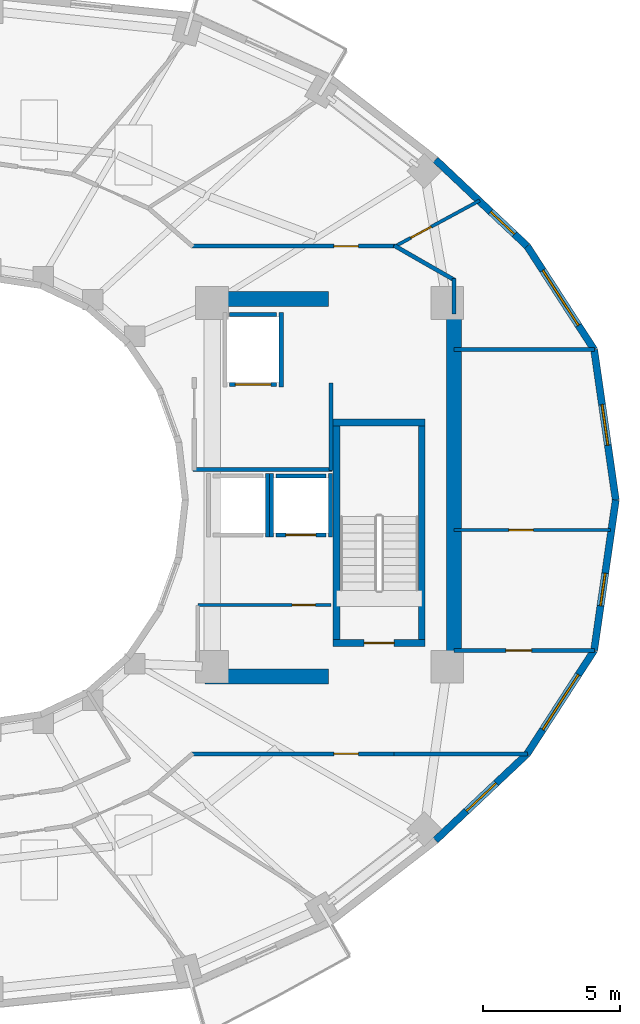
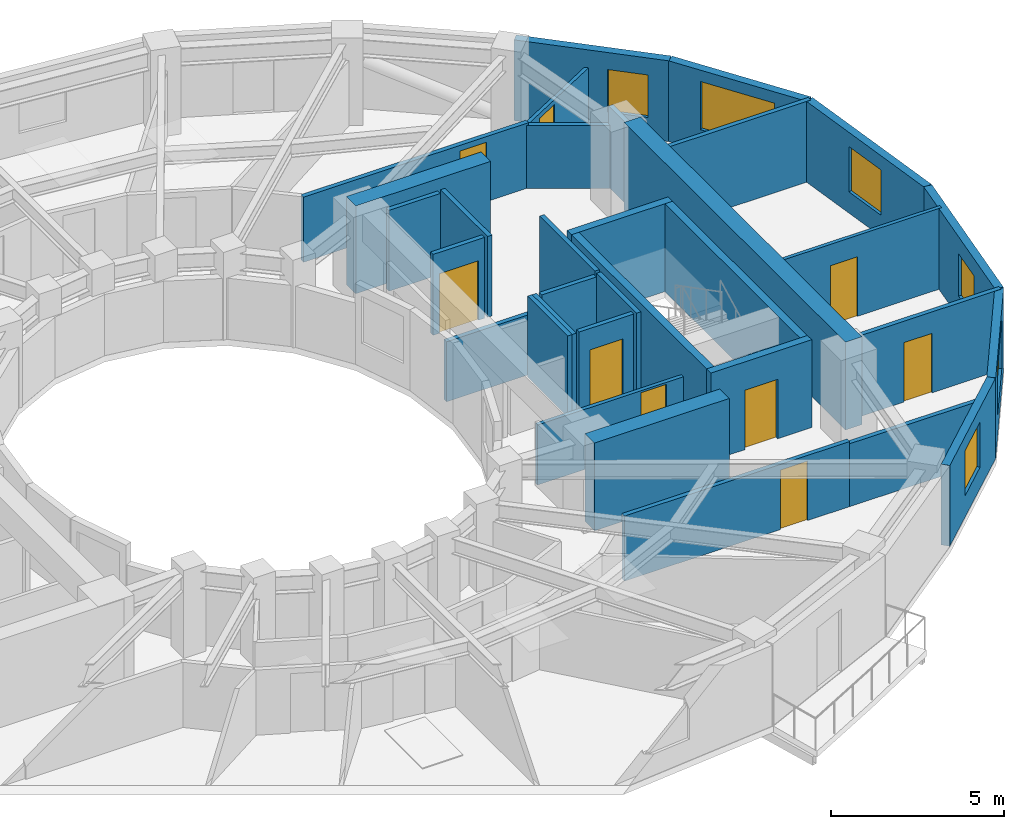
# One storey, part 6 of 10: 33 walls, 9 doors, 6 windows, 15 openings.
"""IFC4 building model written with IfcOpenShell, lengths in metres."""

from ifc_helpers import new_model, si_unit, direction, frame, frame_2d, origin, place, context, subcontext, project, spatial, rectangle, extrude, material, layer, layer_set, type_object, element, fill, save


model = new_model("IFC4")

# Units and contexts
model_context = context("Model", 3, precision=1e-05, world=origin(), true_north=direction((0.0, 1.0)))
body_context = subcontext(model_context, "Body", "Model", "MODEL_VIEW")
ifc_project = project(units=[si_unit("LENGTHUNIT", "METRE"), si_unit("AREAUNIT", "SQUARE_METRE"), si_unit("VOLUMEUNIT", "CUBIC_METRE"), si_unit("PLANEANGLEUNIT", "RADIAN"), si_unit("MASSUNIT", "GRAM", prefix="KILO")], contexts=[model_context])

# Site, building, storey
site_placement = place(None, origin())
site = spatial("IfcSite", under=ifc_project, at=site_placement, CompositionType="ELEMENT")
building_placement = place(site_placement, origin())
building = spatial("IfcBuilding", under=site, at=building_placement, Name="Solvane Sanctuary Tower", CompositionType="ELEMENT")
storey_placement = place(building_placement, frame((0.0, 0.0, 183.89990234375)))
storey = spatial("IfcBuildingStorey", under=building, at=storey_placement, Name="L56", CompositionType="ELEMENT", Elevation=183.89990234375)

# Walls
ifc_material_1 = material(Name="Concrete C50/60", Category="concrete")
ifc_layer_1 = layer(ifc_material_1, 0.550048828125, Name="Concrete C50/60")
ifc_layer_set_1 = layer_set([ifc_layer_1], Name="Concrete C50/60")
wall_type_1 = type_object("IfcWallType", Name="Wall W-CORE-550", PredefinedType="SHEAR", material=ifc_layer_set_1)
wall_1_placement = place(storey_placement, frame((48.949951171875, 17.050048828125, 0.0), z_axis=(0.0, 0.0, 1.0), x_axis=(0.0, 1.0, 0.0)))
element("IfcWall", 1, at=wall_1_placement, inside=storey, type_object=wall_type_1, Name="L56 Core Shear Wall EC-E", PredefinedType="SHEAR", context=body_context, shape_type="SweptSolid", body=[
    extrude(rectangle(XDim=12.800048828125, YDim=0.550048828125, at=frame_2d((6.39990234375, 0.0))), origin(), (0.0, 0.0, 1.0), 3.10009765625),
])
for number, where, z_axis, x_axis, name in (
    (2, (39.85009765625, 16.550048828125, 0.0), (0.0, 0.0, 1.0), (1.0, 0.0, 0.0), "L56 Core Shear Wall EC-S"),
    (3, (39.85009765625, 30.35009765625, 0.0), (0.0, 0.0, 1.0), (1.0, 0.0, 0.0), "L56 Core Shear Wall EC-N"),
):
    element("IfcWall", number, at=place(storey_placement, frame(where, z_axis=z_axis, x_axis=x_axis)), inside=storey, type_object=wall_type_1, Name=name, PredefinedType="SHEAR", context=body_context, shape_type="SweptSolid", body=[
        extrude(rectangle(XDim=4.5, YDim=0.550048828125, at=frame_2d((2.25, 0.0))), origin(), (0.0, 0.0, 1.0), 3.10009765625),
    ])
ifc_material_2 = material(Name="Acoustic Gypsum Partition Board")
ifc_layer_2 = layer(ifc_material_2, 0.14990234375, Name="Acoustic Gypsum Partition Board")
ifc_layer_set_2 = layer_set([ifc_layer_2], Name="Acoustic Gypsum Partition Board")
wall_type_2 = type_object("IfcWallType", Name="Wall W-CORR-150", PredefinedType="PARTITIONING", material=ifc_layer_set_2)
wall_2_placement = place(storey_placement, frame((39.39990234375, 24.1201171875, 0.0), z_axis=(0.0, 0.0, 1.0), x_axis=(1.0, 0.0, 0.0)))
element("IfcWall", 4, at=wall_2_placement, inside=storey, type_object=wall_type_2, Name="L56 East Firefighting Lobby South Wall", PredefinedType="PARTITIONING", context=body_context, shape_type="SweptSolid", body=[
    extrude(rectangle(XDim=5.080078125, YDim=0.14990234375, at=frame_2d((2.5400390625, 0.0))), origin(), (0.0, 0.0, 1.0), 2.1201171875),
])
wall_3_placement = place(storey_placement, frame((44.449951171875, 24.080078125, 0.0), z_axis=(0.0, 0.0, 1.0), x_axis=(0.0, 1.0, 0.0)))
element("IfcWall", 5, at=wall_3_placement, inside=storey, type_object=wall_type_2, Name="L56 East Firefighting Lobby East Wall", PredefinedType="PARTITIONING", context=body_context, shape_type="SweptSolid", body=[
    extrude(rectangle(XDim=3.199951171875, YDim=0.14990234375, at=frame_2d((1.60009765625, 0.0))), origin(), (0.0, 0.0, 1.0), 2.85498046875),
])

# Wall, opening, door
wall_4_placement = place(storey_placement, frame((48.949951171875, 17.4970703125, 0.0), z_axis=(0.0, 0.0, 1.0), x_axis=(1.0, 0.0, 0.0)))
wall_4 = element("IfcWall", 6, at=wall_4_placement, inside=storey, type_object=wall_type_2, Name="L56 East Shoulder South Wall", PredefinedType="PARTITIONING", context=body_context, shape_type="SweptSolid", body=[
    extrude(rectangle(XDim=5.14013671875, YDim=0.14990234375, at=frame_2d((2.570068359375, 0.0))), origin(), (0.0, 0.0, 1.0), 2.85498046875),
])
opening_1_placement = place(wall_4_placement, frame((1.888671875, 0.0, 0.0)))
opening_1 = element("IfcOpeningElement", 7, at=opening_1_placement, cuts=wall_4, Name="Opening D-L56-13", PredefinedType="OPENING", context=body_context, shape_type="SweptSolid", body=[
    extrude(rectangle(XDim=0.949951171875, YDim=2.10009765625, at=frame_2d((0.47509765625, 1.050048828125))), frame((0.0, 0.0849609375, 0.0), z_axis=(0.0, -1.0, 0.0), x_axis=(1.0, 0.0, 0.0)), (0.0, 0.0, 1.0), 0.169921875),
])
ifc_material_3 = material(Name="Engineered Tropical Hardwood", Category="wood")
door_type_1 = type_object("IfcDoorType", Name="Door D-ROOM-950", OperationType="NOTDEFINED", PredefinedType="DOOR", material=ifc_material_3)
door_1_placement = place(opening_1_placement, origin())
door_1 = element("IfcDoor", 8, at=door_1_placement, inside=storey, type_object=door_type_1, Name="L56 East Shoulder South Door", OperationType="SINGLE_SWING_LEFT", OverallHeight=2.10009765625, OverallWidth=0.949951171875, PredefinedType="DOOR", context=body_context, shape_type="SweptSolid", body=[
    extrude(rectangle(XDim=0.949951171875, YDim=2.10009765625, at=frame_2d((0.47509765625, 1.050048828125))), frame((0.0, 0.02490234375, 0.0), z_axis=(0.0, -1.0, 0.0), x_axis=(1.0, 0.0, 0.0)), (0.0, 0.0, 1.0), 0.050048828125),
])
fill(opening_1, door_1)

# Walls
wall_5_placement = place(storey_placement, frame((48.949951171875, 28.5029296875, 0.0), z_axis=(0.0, 0.0, 1.0), x_axis=(1.0, 0.0, 0.0)))
element("IfcWall", 9, at=wall_5_placement, inside=storey, type_object=wall_type_2, Name="L56 East Shoulder North Wall", PredefinedType="PARTITIONING", context=body_context, shape_type="SweptSolid", body=[
    extrude(rectangle(XDim=5.14013671875, YDim=0.14990234375, at=frame_2d((2.570068359375, 0.0))), origin(), (0.0, 0.0, 1.0), 2.85498046875),
])
wall_6_placement = place(storey_placement, frame((48.949951171875, 29.800048828125, 0.0), z_axis=(0.0, 0.0, 1.0), x_axis=(0.0, 1.0, 0.0)))
element("IfcWall", 10, at=wall_6_placement, inside=storey, type_object=wall_type_2, Name="L56 NE Corner Closer 1", PredefinedType="PARTITIONING", context=body_context, shape_type="SweptSolid", body=[
    extrude(rectangle(XDim=1.2900390625, YDim=0.14990234375, at=frame_2d((0.64501953125, 0.0))), origin(), (0.0, 0.0, 1.0), 2.85498046875),
])

# Wall, opening, door
wall_7_placement = place(storey_placement, frame((39.330078125, 32.280029296875, 0.0), z_axis=(0.0, 0.0, 1.0), x_axis=(1.0, 0.0, 0.0)))
wall_7 = element("IfcWall", 11, at=wall_7_placement, inside=storey, type_object=wall_type_2, Name="L56 NE Corner Corridor Wall", PredefinedType="PARTITIONING", context=body_context, shape_type="SweptSolid", body=[
    extrude(rectangle(XDim=7.52001953125, YDim=0.14990234375, at=frame_2d((3.760009765625, 0.0))), origin(), (0.0, 0.0, 1.0), 2.299072265625),
])
opening_2_placement = place(wall_7_placement, frame((5.219970703125, 0.0, 0.0)))
opening_2 = element("IfcOpeningElement", 12, at=opening_2_placement, cuts=wall_7, Name="Opening D-L56-16", PredefinedType="OPENING", context=body_context, shape_type="SweptSolid", body=[
    extrude(rectangle(XDim=0.89990234375, YDim=2.10009765625, at=frame_2d((0.449951171875, 1.050048828125))), frame((0.0, 0.0849609375, 0.0), z_axis=(0.0, -1.0, 0.0), x_axis=(1.0, 0.0, 0.0)), (0.0, 0.0, 1.0), 0.169921875),
])
door_type_2 = type_object("IfcDoorType", Name="Door D-WET-900", OperationType="NOTDEFINED", PredefinedType="DOOR", material=ifc_material_3)
door_2_placement = place(opening_2_placement, origin())
door_2 = element("IfcDoor", 13, at=door_2_placement, inside=storey, type_object=door_type_2, Name="L56 NE Corner Salon Door", OperationType="SINGLE_SWING_RIGHT", OverallHeight=2.10009765625, OverallWidth=0.89990234375, PredefinedType="DOOR", context=body_context, shape_type="SweptSolid", body=[
    extrude(rectangle(XDim=0.89990234375, YDim=2.10009765625, at=frame_2d((0.449951171875, 1.050048828125))), frame((0.0, 0.02490234375, 0.0), z_axis=(0.0, -1.0, 0.0), x_axis=(1.0, 0.0, 0.0)), (0.0, 0.0, 1.0), 0.050048828125),
])
fill(opening_2, door_2)

# Wall
wall_8_placement = place(storey_placement, frame((46.756591796875, 32.3046875, 0.0), z_axis=(0.0, 0.0, 1.0), x_axis=(0.867991349648, -0.496579315857, 0.0)))
element("IfcWall", 14, at=wall_8_placement, inside=storey, type_object=wall_type_2, Name="L56 NE Corner Wing Wall", PredefinedType="PARTITIONING", context=body_context, shape_type="SweptSolid", body=[
    extrude(rectangle(XDim=2.56689453125, YDim=0.14990234375, at=frame_2d((1.283447265625, 0.0))), origin(), (0.0, 0.0, 1.0), 2.22021484375),
])

# Wall, opening, door
wall_9_placement = place(storey_placement, frame((39.330078125, 13.719970703125, 0.0), z_axis=(0.0, 0.0, 1.0), x_axis=(1.0, 0.0, 0.0)))
wall_9 = element("IfcWall", 15, at=wall_9_placement, inside=storey, type_object=wall_type_2, Name="L56 SE Corner Corridor Wall", PredefinedType="PARTITIONING", context=body_context, shape_type="SweptSolid", body=[
    extrude(rectangle(XDim=7.52001953125, YDim=0.14990234375, at=frame_2d((3.760009765625, 0.0))), origin(), (0.0, 0.0, 1.0), 2.299072265625),
])
opening_3_placement = place(wall_9_placement, frame((5.219970703125, 0.0, 0.0)))
opening_3 = element("IfcOpeningElement", 16, at=opening_3_placement, cuts=wall_9, Name="Opening D-L56-22", PredefinedType="OPENING", context=body_context, shape_type="SweptSolid", body=[
    extrude(rectangle(XDim=0.89990234375, YDim=2.10009765625, at=frame_2d((0.449951171875, 1.050048828125))), frame((0.0, 0.0849609375, 0.0), z_axis=(0.0, -1.0, 0.0), x_axis=(1.0, 0.0, 0.0)), (0.0, 0.0, 1.0), 0.169921875),
])
door_3_placement = place(opening_3_placement, origin())
door_3 = element("IfcDoor", 17, at=door_3_placement, inside=storey, type_object=door_type_2, Name="L56 SE Corner Salon Door", OperationType="SINGLE_SWING_RIGHT", OverallHeight=2.10009765625, OverallWidth=0.89990234375, PredefinedType="DOOR", context=body_context, shape_type="SweptSolid", body=[
    extrude(rectangle(XDim=0.89990234375, YDim=2.10009765625, at=frame_2d((0.449951171875, 1.050048828125))), frame((0.0, 0.02490234375, 0.0), z_axis=(0.0, -1.0, 0.0), x_axis=(1.0, 0.0, 0.0)), (0.0, 0.0, 1.0), 0.050048828125),
])
fill(opening_3, door_3)

# Wall
wall_10_placement = place(storey_placement, frame((46.75, 13.72021484375, 0.0), z_axis=(0.0, 0.0, 1.0), x_axis=(0.999997122315, -0.00239903348, 0.0)))
element("IfcWall", 18, at=wall_10_placement, inside=storey, type_object=wall_type_2, Name="L56 SE Corner Wing Wall", PredefinedType="PARTITIONING", context=body_context, shape_type="SweptSolid", body=[
    extrude(rectangle(XDim=4.884765625, YDim=0.14990234375, at=frame_2d((2.4423828125, 0.0))), origin(), (0.0, 0.0, 1.0), 2.22021484375),
])

# Wall, opening, window
ifc_material_4 = material(Name="Precast concrete C40/50", Category="concrete")
ifc_layer_3 = layer(ifc_material_4, 0.260009765625, Name="Precast concrete C40/50")
ifc_layer_set_3 = layer_set([ifc_layer_3], Name="Precast concrete C40/50")
wall_type_3 = type_object("IfcWallType", Name="Wall W-EXT-250", PredefinedType="STANDARD", material=ifc_layer_set_3)
wall_11_placement = place(storey_placement, frame((54.860107421875, 23.0, 0.0), z_axis=(0.0, 0.0, 1.0), x_axis=(-0.142227632286, 0.989833976288, 0.0)))
wall_11 = element("IfcWall", 19, at=wall_11_placement, inside=storey, type_object=wall_type_3, Name="L56 Ceramic-Printed Facade Wall 00", PredefinedType="STANDARD", context=body_context, shape_type="SweptSolid", body=[
    extrude(rectangle(XDim=5.552978515625, YDim=0.260009765625, at=frame_2d((2.7763671875, 0.0))), origin(), (0.0, 0.0, 1.0), 2.85009765625),
])
opening_4_placement = place(wall_11_placement, frame((2.026611328125, 0.0, 0.75)))
opening_4 = element("IfcOpeningElement", 20, at=opening_4_placement, cuts=wall_11, Name="Opening WN-OPER-1500", PredefinedType="OPENING", context=body_context, shape_type="SweptSolid", body=[
    extrude(rectangle(XDim=1.5, YDim=1.60009765625, at=frame_2d((0.75, 0.800048828125))), frame((0.0, 0.139892578125, 0.0), z_axis=(0.0, -1.0, 0.0), x_axis=(1.0, 0.0, 0.0)), (0.0, 0.0, 1.0), 0.280029296875),
])
ifc_material_5 = material(Name="Dark Ceramic-Fritted Low-E Glass", Category="glass")
window_type_1 = type_object("IfcWindowType", Name="Window WN-OPER-1500", PartitioningType="SINGLE_PANEL", PredefinedType="WINDOW", material=ifc_material_5)
window_1_placement = place(opening_4_placement, origin())
window_1 = element("IfcWindow", 21, at=window_1_placement, inside=storey, type_object=window_type_1, Name="L56 Operable Facade Window 00", OverallHeight=1.60009765625, OverallWidth=1.5, PartitioningType="SINGLE_PANEL", PredefinedType="WINDOW", context=body_context, shape_type="SweptSolid", body=[
    extrude(rectangle(XDim=1.5, YDim=1.60009765625, at=frame_2d((0.75, 0.800048828125))), frame((0.0, 0.030029296875, 0.0), z_axis=(0.0, -1.0, 0.0), x_axis=(1.0, 0.0, 0.0)), (0.0, 0.0, 1.0), 0.06005859375),
])
fill(opening_4, window_1)

wall_12_placement = place(storey_placement, frame((54.0703125, 28.49658203125, 0.0), z_axis=(0.0, 0.0, 1.0), x_axis=(-0.543358984534, 0.839500454989, 0.0)))
wall_12 = element("IfcWall", 22, at=wall_12_placement, inside=storey, type_object=wall_type_3, Name="L56 Ceramic-Printed Facade Wall 01", PredefinedType="STANDARD", context=body_context, shape_type="SweptSolid", body=[
    extrude(rectangle(XDim=4.51123046875, YDim=0.260009765625, at=frame_2d((2.255615234375, 0.0))), origin(), (0.0, 0.0, 1.0), 2.85009765625),
])
opening_5_placement = place(wall_12_placement, frame((1.0556640625, 0.0, 0.75)))
opening_5 = element("IfcOpeningElement", 23, at=opening_5_placement, cuts=wall_12, Name="Opening WN-RIB-2400", PredefinedType="OPENING", context=body_context, shape_type="SweptSolid", body=[
    extrude(rectangle(XDim=2.39990234375, YDim=1.699951171875, at=frame_2d((1.199951171875, 0.85009765625))), frame((0.0, 0.139892578125, 0.0), z_axis=(0.0, -1.0, 0.0), x_axis=(1.0, 0.0, 0.0)), (0.0, 0.0, 1.0), 0.280029296875),
])
window_type_2 = type_object("IfcWindowType", Name="Window WN-RIB-2400", PartitioningType="SINGLE_PANEL", PredefinedType="WINDOW", material=ifc_material_5)
window_2_placement = place(opening_5_placement, origin())
window_2 = element("IfcWindow", 24, at=window_2_placement, inside=storey, type_object=window_type_2, Name="L56 Operable Facade Window 01", OverallHeight=1.699951171875, OverallWidth=2.39990234375, PartitioningType="SINGLE_PANEL", PredefinedType="WINDOW", context=body_context, shape_type="SweptSolid", body=[
    extrude(rectangle(XDim=2.39990234375, YDim=1.699951171875, at=frame_2d((1.199951171875, 0.85009765625))), frame((0.0, 0.030029296875, 0.0), z_axis=(0.0, -1.0, 0.0), x_axis=(1.0, 0.0, 0.0)), (0.0, 0.0, 1.0), 0.06005859375),
])
fill(opening_5, window_2)

wall_13_placement = place(storey_placement, frame((51.619140625, 32.28369140625, 0.0), z_axis=(0.0, 0.0, 1.0), x_axis=(-0.727667301037, 0.68593024354, 0.0)))
wall_13 = element("IfcWall", 25, at=wall_13_placement, inside=storey, type_object=wall_type_3, Name="L56 Ceramic-Printed Facade Wall 02", PredefinedType="STANDARD", context=body_context, shape_type="SweptSolid", body=[
    extrude(rectangle(XDim=4.603515625, YDim=0.260009765625, at=frame_2d((2.3017578125, 0.0))), origin(), (0.0, 0.0, 1.0), 2.85009765625),
])
opening_6_placement = place(wall_13_placement, frame((0.631103515625, 0.0, 0.75)))
opening_6 = element("IfcOpeningElement", 26, at=opening_6_placement, cuts=wall_13, Name="Opening WN-OPER-1200", PredefinedType="OPENING", context=body_context, shape_type="SweptSolid", body=[
    extrude(rectangle(XDim=1.199951171875, YDim=1.5, at=frame_2d((0.60009765625, 0.75))), frame((0.0, 0.139892578125, 0.0), z_axis=(0.0, -1.0, 0.0), x_axis=(1.0, 0.0, 0.0)), (0.0, 0.0, 1.0), 0.280029296875),
])
window_type_3 = type_object("IfcWindowType", Name="Window WN-OPER-1200", PartitioningType="SINGLE_PANEL", PredefinedType="WINDOW", material=ifc_material_5)
window_3_placement = place(opening_6_placement, origin())
window_3 = element("IfcWindow", 27, at=window_3_placement, inside=storey, type_object=window_type_3, Name="L56 Operable Facade Window 02", OverallHeight=1.5, OverallWidth=1.199951171875, PartitioningType="SINGLE_PANEL", PredefinedType="WINDOW", context=body_context, shape_type="SweptSolid", body=[
    extrude(rectangle(XDim=1.199951171875, YDim=1.5, at=frame_2d((0.60009765625, 0.75))), frame((0.0, 0.030029296875, 0.0), z_axis=(0.0, -1.0, 0.0), x_axis=(1.0, 0.0, 0.0)), (0.0, 0.0, 1.0), 0.06005859375),
])
fill(opening_6, window_3)

wall_14_placement = place(storey_placement, frame((48.269287109375, 10.55859375, 0.0), z_axis=(0.0, 0.0, 1.0), x_axis=(0.727667301037, 0.68593024354, 0.0)))
wall_14 = element("IfcWall", 28, at=wall_14_placement, inside=storey, type_object=wall_type_3, Name="L56 Ceramic-Printed Facade Wall 21", PredefinedType="STANDARD", context=body_context, shape_type="SweptSolid", body=[
    extrude(rectangle(XDim=4.603515625, YDim=0.260009765625, at=frame_2d((2.3017578125, 0.0))), origin(), (0.0, 0.0, 1.0), 2.85009765625),
])
opening_7_placement = place(wall_14_placement, frame((1.5517578125, 0.0, 0.75)))
opening_7 = element("IfcOpeningElement", 29, at=opening_7_placement, cuts=wall_14, Name="Opening WN-OPER-1500", PredefinedType="OPENING", context=body_context, shape_type="SweptSolid", body=[
    extrude(rectangle(XDim=1.5, YDim=1.60009765625, at=frame_2d((0.75, 0.800048828125))), frame((0.0, 0.139892578125, 0.0), z_axis=(0.0, -1.0, 0.0), x_axis=(1.0, 0.0, 0.0)), (0.0, 0.0, 1.0), 0.280029296875),
])
window_4_placement = place(opening_7_placement, origin())
window_4 = element("IfcWindow", 30, at=window_4_placement, inside=storey, type_object=window_type_1, Name="L56 Operable Facade Window 21", OverallHeight=1.60009765625, OverallWidth=1.5, PartitioningType="SINGLE_PANEL", PredefinedType="WINDOW", context=body_context, shape_type="SweptSolid", body=[
    extrude(rectangle(XDim=1.5, YDim=1.60009765625, at=frame_2d((0.75, 0.800048828125))), frame((0.0, 0.030029296875, 0.0), z_axis=(0.0, -1.0, 0.0), x_axis=(1.0, 0.0, 0.0)), (0.0, 0.0, 1.0), 0.06005859375),
])
fill(opening_7, window_4)

wall_15_placement = place(storey_placement, frame((51.619140625, 13.71630859375, 0.0), z_axis=(0.0, 0.0, 1.0), x_axis=(0.543358984534, 0.839500454989, 0.0)))
wall_15 = element("IfcWall", 31, at=wall_15_placement, inside=storey, type_object=wall_type_3, Name="L56 Ceramic-Printed Facade Wall 22", PredefinedType="STANDARD", context=body_context, shape_type="SweptSolid", body=[
    extrude(rectangle(XDim=4.51123046875, YDim=0.260009765625, at=frame_2d((2.255615234375, 0.0))), origin(), (0.0, 0.0, 1.0), 2.85009765625),
])
opening_8_placement = place(wall_15_placement, frame((1.0556640625, 0.0, 0.75)))
opening_8 = element("IfcOpeningElement", 32, at=opening_8_placement, cuts=wall_15, Name="Opening WN-RIB-2400", PredefinedType="OPENING", context=body_context, shape_type="SweptSolid", body=[
    extrude(rectangle(XDim=2.39990234375, YDim=1.699951171875, at=frame_2d((1.199951171875, 0.85009765625))), frame((0.0, 0.139892578125, 0.0), z_axis=(0.0, -1.0, 0.0), x_axis=(1.0, 0.0, 0.0)), (0.0, 0.0, 1.0), 0.280029296875),
])
window_5_placement = place(opening_8_placement, origin())
window_5 = element("IfcWindow", 33, at=window_5_placement, inside=storey, type_object=window_type_2, Name="L56 Operable Facade Window 22", OverallHeight=1.699951171875, OverallWidth=2.39990234375, PartitioningType="SINGLE_PANEL", PredefinedType="WINDOW", context=body_context, shape_type="SweptSolid", body=[
    extrude(rectangle(XDim=2.39990234375, YDim=1.699951171875, at=frame_2d((1.199951171875, 0.85009765625))), frame((0.0, 0.030029296875, 0.0), z_axis=(0.0, -1.0, 0.0), x_axis=(1.0, 0.0, 0.0)), (0.0, 0.0, 1.0), 0.06005859375),
])
fill(opening_8, window_5)

wall_16_placement = place(storey_placement, frame((54.0703125, 17.50341796875, 0.0), z_axis=(0.0, 0.0, 1.0), x_axis=(0.142227632286, 0.989833976288, 0.0)))
wall_16 = element("IfcWall", 34, at=wall_16_placement, inside=storey, type_object=wall_type_3, Name="L56 Ceramic-Printed Facade Wall 23", PredefinedType="STANDARD", context=body_context, shape_type="SweptSolid", body=[
    extrude(rectangle(XDim=5.552978515625, YDim=0.260009765625, at=frame_2d((2.7763671875, 0.0))), origin(), (0.0, 0.0, 1.0), 2.85009765625),
])
opening_9_placement = place(wall_16_placement, frame((1.645751953125, 0.0, 0.75)))
opening_9 = element("IfcOpeningElement", 35, at=opening_9_placement, cuts=wall_16, Name="Opening WN-OPER-1200", PredefinedType="OPENING", context=body_context, shape_type="SweptSolid", body=[
    extrude(rectangle(XDim=1.199951171875, YDim=1.5, at=frame_2d((0.60009765625, 0.75))), frame((0.0, 0.139892578125, 0.0), z_axis=(0.0, -1.0, 0.0), x_axis=(1.0, 0.0, 0.0)), (0.0, 0.0, 1.0), 0.280029296875),
])
window_6_placement = place(opening_9_placement, origin())
window_6 = element("IfcWindow", 36, at=window_6_placement, inside=storey, type_object=window_type_3, Name="L56 Operable Facade Window 23", OverallHeight=1.5, OverallWidth=1.199951171875, PartitioningType="SINGLE_PANEL", PredefinedType="WINDOW", context=body_context, shape_type="SweptSolid", body=[
    extrude(rectangle(XDim=1.199951171875, YDim=1.5, at=frame_2d((0.60009765625, 0.75))), frame((0.0, 0.030029296875, 0.0), z_axis=(0.0, -1.0, 0.0), x_axis=(1.0, 0.0, 0.0)), (0.0, 0.0, 1.0), 0.06005859375),
])
fill(opening_9, window_6)

# Wall, opening, door
ifc_layer_4 = layer(ifc_material_2, 0.1201171875, Name="Acoustic Gypsum Partition Board")
ifc_layer_set_4 = layer_set([ifc_layer_4], Name="Acoustic Gypsum Partition Board")
wall_type_4 = type_object("IfcWallType", Name="Wall W-MOV-100", PredefinedType="MOVABLE", material=ifc_layer_set_4)
wall_17_placement = place(storey_placement, frame((48.949951171875, 21.89990234375, 0.0), z_axis=(0.0, 0.0, 1.0), x_axis=(1.0, 0.0, 0.0)))
wall_17 = element("IfcWall", 37, at=wall_17_placement, inside=storey, type_object=wall_type_4, Name="L56 East Suite Partition", PredefinedType="MOVABLE", context=body_context, shape_type="SweptSolid", body=[
    extrude(rectangle(XDim=5.712158203125, YDim=0.1201171875, at=frame_2d((2.85595703125, 0.0))), origin(), (0.0, 0.0, 1.0), 2.85498046875),
])
opening_10_placement = place(wall_17_placement, frame((2.0, 0.0, 0.0)))
opening_10 = element("IfcOpeningElement", 38, at=opening_10_placement, cuts=wall_17, Name="Opening D-L56-14", PredefinedType="OPENING", context=body_context, shape_type="SweptSolid", body=[
    extrude(rectangle(XDim=0.89990234375, YDim=2.10009765625, at=frame_2d((0.449951171875, 1.050048828125))), frame((0.0, 0.070068359375, 0.0), z_axis=(0.0, -1.0, 0.0), x_axis=(1.0, 0.0, 0.0)), (0.0, 0.0, 1.0), 0.14013671875),
])
door_4_placement = place(opening_10_placement, origin())
door_4 = element("IfcDoor", 39, at=door_4_placement, inside=storey, type_object=door_type_2, Name="L56 East Suite Internal Door", OperationType="SINGLE_SWING_RIGHT", OverallHeight=2.10009765625, OverallWidth=0.89990234375, PredefinedType="DOOR", context=body_context, shape_type="SweptSolid", body=[
    extrude(rectangle(XDim=0.89990234375, YDim=2.10009765625, at=frame_2d((0.449951171875, 1.050048828125))), frame((0.0, 0.02490234375, 0.0), z_axis=(0.0, -1.0, 0.0), x_axis=(1.0, 0.0, 0.0)), (0.0, 0.0, 1.0), 0.050048828125),
])
fill(opening_10, door_4)

wall_18_placement = place(storey_placement, frame((46.756103515625, 32.256103515625, 0.0), z_axis=(0.0, 0.0, 1.0), x_axis=(0.879385297668, 0.476110804587, 0.0)))
wall_18 = element("IfcWall", 40, at=wall_18_placement, inside=storey, type_object=wall_type_4, Name="L56 NE Corner Suite Partition", PredefinedType="MOVABLE", context=body_context, shape_type="SweptSolid", body=[
    extrude(rectangle(XDim=3.559814453125, YDim=0.1201171875, at=frame_2d((1.77978515625, 0.0))), origin(), (0.0, 0.0, 1.0), 2.22021484375),
])
opening_11_placement = place(wall_18_placement, frame((0.6943359375, 0.0, 0.0)))
opening_11 = element("IfcOpeningElement", 41, at=opening_11_placement, cuts=wall_18, Name="Opening D-L56-15", PredefinedType="OPENING", context=body_context, shape_type="SweptSolid", body=[
    extrude(rectangle(XDim=0.85009765625, YDim=2.050048828125, at=frame_2d((0.425048828125, 1.02490234375))), frame((0.0, 0.070068359375, 0.0), z_axis=(0.0, -1.0, 0.0), x_axis=(1.0, 0.0, 0.0)), (0.0, 0.0, 1.0), 0.14013671875),
])
ifc_material_6 = material(Name="Architectural Stainless Steel 316", Category="steel")
door_type_3 = type_object("IfcDoorType", Name="Door D-RISER", OperationType="NOTDEFINED", PredefinedType="DOOR", material=ifc_material_6)
door_5_placement = place(opening_11_placement, origin())
door_5 = element("IfcDoor", 42, at=door_5_placement, inside=storey, type_object=door_type_3, Name="L56 NE Corner Suite Door", OperationType="SINGLE_SWING_LEFT", OverallHeight=2.050048828125, OverallWidth=0.85009765625, PredefinedType="DOOR", context=body_context, shape_type="SweptSolid", body=[
    extrude(rectangle(XDim=0.85009765625, YDim=2.050048828125, at=frame_2d((0.425048828125, 1.02490234375))), frame((0.0, 0.02490234375, 0.0), z_axis=(0.0, -1.0, 0.0), x_axis=(1.0, 0.0, 0.0)), (0.0, 0.0, 1.0), 0.050048828125),
])
fill(opening_11, door_5)

ifc_layer_5 = layer(ifc_material_2, 0.125, Name="Acoustic Gypsum Partition Board")
ifc_layer_set_5 = layer_set([ifc_layer_5], Name="Acoustic Gypsum Partition Board")
wall_type_5 = type_object("IfcWallType", Name="Wall W-PART-125", PredefinedType="PARTITIONING", material=ifc_layer_set_5)
wall_19_placement = place(storey_placement, frame((39.580078125, 19.159912109375, 0.0), z_axis=(0.0, 0.0, 1.0), x_axis=(1.0, 0.0, 0.0)))
wall_19 = element("IfcWall", 43, at=wall_19_placement, inside=storey, type_object=wall_type_5, Name="L56 Reclaimed Room Partition PLE", PredefinedType="PARTITIONING", context=body_context, shape_type="SweptSolid", body=[
    extrude(rectangle(XDim=4.869873046875, YDim=0.125, at=frame_2d((2.43505859375, 0.0))), origin(), (0.0, 0.0, 1.0), 2.1201171875),
])
opening_12_placement = place(wall_19_placement, frame((3.449951171875, 0.0, 0.0)))
opening_12 = element("IfcOpeningElement", 44, at=opening_12_placement, cuts=wall_19, Name="Opening D-L56-11", PredefinedType="OPENING", context=body_context, shape_type="SweptSolid", body=[
    extrude(rectangle(XDim=0.85009765625, YDim=2.050048828125, at=frame_2d((0.425048828125, 1.02490234375))), frame((0.0, 0.072509765625, 0.0), z_axis=(0.0, -1.0, 0.0), x_axis=(1.0, 0.0, 0.0)), (0.0, 0.0, 1.0), 0.14501953125),
])
door_6_placement = place(opening_12_placement, origin())
door_6 = element("IfcDoor", 45, at=door_6_placement, inside=storey, type_object=door_type_3, Name="L56 Reclaimed Room Door PLE-1", OperationType="SINGLE_SWING_LEFT", OverallHeight=2.050048828125, OverallWidth=0.85009765625, PredefinedType="DOOR", context=body_context, shape_type="SweptSolid", body=[
    extrude(rectangle(XDim=0.85009765625, YDim=2.050048828125, at=frame_2d((0.425048828125, 1.02490234375))), frame((0.0, 0.02490234375, 0.0), z_axis=(0.0, -1.0, 0.0), x_axis=(1.0, 0.0, 0.0)), (0.0, 0.0, 1.0), 0.050048828125),
])
fill(opening_12, door_6)

ifc_layer_6 = layer(ifc_material_1, 0.14990234375, Name="Concrete C50/60")
ifc_layer_set_6 = layer_set([ifc_layer_6], Name="Concrete C50/60")
wall_type_6 = type_object("IfcWallType", Name="Wall W-SHAFT-150", PredefinedType="SOLIDWALL", material=ifc_layer_set_6)
wall_20_placement = place(storey_placement, frame((42.43994140625, 21.719970703125, 0.0), z_axis=(0.0, 0.0, 1.0), x_axis=(1.0, 0.0, 0.0)))
wall_20 = element("IfcWall", 46, at=wall_20_placement, inside=storey, type_object=wall_type_6, Name="L56 PM-2 Lift Shaft Wall F", PredefinedType="SOLIDWALL", context=body_context, shape_type="SweptSolid", body=[
    extrude(rectangle(XDim=1.820068359375, YDim=0.14990234375, at=frame_2d((0.91015625, 0.0))), origin(), (0.0, 0.0, 1.0), 2.85498046875),
])
opening_13_placement = place(wall_20_placement, frame((0.360107421875, 0.0, 0.0)))
opening_13 = element("IfcOpeningElement", 47, at=opening_13_placement, cuts=wall_20, Name="Opening LD-L56-02", PredefinedType="OPENING", context=body_context, shape_type="SweptSolid", body=[
    extrude(rectangle(XDim=1.10009765625, YDim=2.10009765625, at=frame_2d((0.550048828125, 1.050048828125))), frame((0.0, 0.0849609375, 0.0), z_axis=(0.0, -1.0, 0.0), x_axis=(1.0, 0.0, 0.0)), (0.0, 0.0, 1.0), 0.169921875),
])
door_type_4 = type_object("IfcDoorType", Name="Door LD-PASS-1100", OperationType="NOTDEFINED", PredefinedType="DOOR", material=ifc_material_6)
door_7_placement = place(opening_13_placement, origin())
door_7 = element("IfcDoor", 48, at=door_7_placement, inside=storey, type_object=door_type_4, Name="L56 PM-2 Lift Landing Door", OperationType="DOUBLE_DOOR_SLIDING", OverallHeight=2.10009765625, OverallWidth=1.10009765625, PredefinedType="DOOR", context=body_context, shape_type="SweptSolid", body=[
    extrude(rectangle(XDim=1.10009765625, YDim=2.10009765625, at=frame_2d((0.550048828125, 1.050048828125))), frame((0.0, 0.02490234375, 0.0), z_axis=(0.0, -1.0, 0.0), x_axis=(1.0, 0.0, 0.0)), (0.0, 0.0, 1.0), 0.050048828125),
])
fill(opening_13, door_7)

# Walls
wall_21_placement = place(storey_placement, frame((42.43994140625, 23.8798828125, 0.0), z_axis=(0.0, 0.0, 1.0), x_axis=(1.0, 0.0, 0.0)))
element("IfcWall", 49, at=wall_21_placement, inside=storey, type_object=wall_type_6, Name="L56 PM-2 Lift Shaft Wall B", PredefinedType="SOLIDWALL", context=body_context, shape_type="SweptSolid", body=[
    extrude(rectangle(XDim=1.820068359375, YDim=0.14990234375, at=frame_2d((0.91015625, 0.0))), origin(), (0.0, 0.0, 1.0), 2.85498046875),
])
for number, where, z_axis, x_axis, name in (
    (50, (42.27001953125, 21.639892578125, 0.0), (0.0, 0.0, 1.0), (0.0, 1.0, 0.0), "L56 PM-2 Lift Shaft Wall S1"),
    (51, (44.429931640625, 21.639892578125, 0.0), (0.0, 0.0, 1.0), (0.0, 1.0, 0.0), "L56 PM-2 Lift Shaft Wall S2"),
    (52, (42.1298828125, 21.639892578125, 0.0), (0.0, 0.0, 1.0), (0.0, 1.0, 0.0), "L56 PH-2 Lift Shaft Wall S2"),
):
    element("IfcWall", number, at=place(storey_placement, frame(where, z_axis=z_axis, x_axis=x_axis)), inside=storey, type_object=wall_type_6, Name=name, PredefinedType="SOLIDWALL", context=body_context, shape_type="SweptSolid", body=[
        extrude(rectangle(XDim=2.320068359375, YDim=0.14990234375, at=frame_2d((1.16015625, 0.0))), origin(), (0.0, 0.0, 1.0), 2.85498046875),
    ])

# Wall, opening, door
wall_22_placement = place(storey_placement, frame((40.739990234375, 27.219970703125, 0.0), z_axis=(0.0, 0.0, 1.0), x_axis=(1.0, 0.0, 0.0)))
wall_22 = element("IfcWall", 53, at=wall_22_placement, inside=storey, type_object=wall_type_6, Name="L56 FFL-2 Lift Shaft Wall F", PredefinedType="SOLIDWALL", context=body_context, shape_type="SweptSolid", body=[
    extrude(rectangle(XDim=1.719970703125, YDim=0.14990234375, at=frame_2d((0.85986328125, 0.0))), origin(), (0.0, 0.0, 1.0), 2.85498046875),
])
opening_14_placement = place(wall_22_placement, frame((0.2099609375, 0.0, 0.0)))
opening_14 = element("IfcOpeningElement", 54, at=opening_14_placement, cuts=wall_22, Name="Opening LD-L56-05", PredefinedType="OPENING", context=body_context, shape_type="SweptSolid", body=[
    extrude(rectangle(XDim=1.300048828125, YDim=2.10009765625, at=frame_2d((0.64990234375, 1.050048828125))), frame((0.0, 0.0849609375, 0.0), z_axis=(0.0, -1.0, 0.0), x_axis=(1.0, 0.0, 0.0)), (0.0, 0.0, 1.0), 0.169921875),
])
door_type_5 = type_object("IfcDoorType", Name="Door LD-FFL-1300", OperationType="NOTDEFINED", PredefinedType="DOOR", material=ifc_material_6)
door_8_placement = place(opening_14_placement, origin())
door_8 = element("IfcDoor", 55, at=door_8_placement, inside=storey, type_object=door_type_5, Name="L56 FFL-2 Lift Landing Door", OperationType="DOUBLE_DOOR_SLIDING", OverallHeight=2.10009765625, OverallWidth=1.300048828125, PredefinedType="DOOR", context=body_context, shape_type="SweptSolid", body=[
    extrude(rectangle(XDim=1.300048828125, YDim=2.10009765625, at=frame_2d((0.64990234375, 1.050048828125))), frame((0.0, 0.02490234375, 0.0), z_axis=(0.0, -1.0, 0.0), x_axis=(1.0, 0.0, 0.0)), (0.0, 0.0, 1.0), 0.050048828125),
])
fill(opening_14, door_8)

# Walls
wall_23_placement = place(storey_placement, frame((40.739990234375, 29.780029296875, 0.0), z_axis=(0.0, 0.0, 1.0), x_axis=(1.0, 0.0, 0.0)))
element("IfcWall", 56, at=wall_23_placement, inside=storey, type_object=wall_type_6, Name="L56 FFL-2 Lift Shaft Wall B", PredefinedType="SOLIDWALL", context=body_context, shape_type="SweptSolid", body=[
    extrude(rectangle(XDim=1.719970703125, YDim=0.14990234375, at=frame_2d((0.85986328125, 0.0))), origin(), (0.0, 0.0, 1.0), 2.85498046875),
])
wall_24_placement = place(storey_placement, frame((42.6298828125, 27.139892578125, 0.0), z_axis=(0.0, 0.0, 1.0), x_axis=(0.0, 1.0, 0.0)))
element("IfcWall", 57, at=wall_24_placement, inside=storey, type_object=wall_type_6, Name="L56 FFL-2 Lift Shaft Wall S2", PredefinedType="SOLIDWALL", context=body_context, shape_type="SweptSolid", body=[
    extrude(rectangle(XDim=2.72021484375, YDim=0.14990234375, at=frame_2d((1.360107421875, 0.0))), origin(), (0.0, 0.0, 1.0), 2.85498046875),
])

# Wall, opening, door
ifc_layer_7 = layer(ifc_material_1, 0.25, Name="Concrete C50/60")
ifc_layer_set_7 = layer_set([ifc_layer_7], Name="Concrete C50/60")
wall_type_7 = type_object("IfcWallType", Name="Wall W-SHAFT-250", PredefinedType="SOLIDWALL", material=ifc_layer_set_7)
wall_25_placement = place(storey_placement, frame((44.52490234375, 17.77001953125, 0.0), z_axis=(0.0, 0.0, 1.0), x_axis=(1.0, 0.0, 0.0)))
wall_25 = element("IfcWall", 58, at=wall_25_placement, inside=storey, type_object=wall_type_7, Name="L56 ST-2 Load-Bearing Shaft Wall S", PredefinedType="SOLIDWALL", context=body_context, shape_type="SweptSolid", body=[
    extrude(rectangle(XDim=3.3701171875, YDim=0.25, at=frame_2d((1.68505859375, 0.0))), origin(), (0.0, 0.0, 1.0), 3.10009765625),
])
opening_15_placement = place(wall_25_placement, frame((1.135009765625, 0.0, 0.0)))
opening_15 = element("IfcOpeningElement", 59, at=opening_15_placement, cuts=wall_25, Name="Opening D-L56-06", PredefinedType="OPENING", context=body_context, shape_type="SweptSolid", body=[
    extrude(rectangle(XDim=1.10009765625, YDim=2.10009765625, at=frame_2d((0.550048828125, 1.050048828125))), frame((0.0, 0.135009765625, 0.0), z_axis=(0.0, -1.0, 0.0), x_axis=(1.0, 0.0, 0.0)), (0.0, 0.0, 1.0), 0.27001953125),
])
door_type_6 = type_object("IfcDoorType", Name="Door D-STAIR", OperationType="NOTDEFINED", PredefinedType="DOOR", material=ifc_material_6)
door_9_placement = place(opening_15_placement, origin())
door_9 = element("IfcDoor", 60, at=door_9_placement, inside=storey, type_object=door_type_6, Name="L56 ST-2 Exit Stair Fire Door", OperationType="SINGLE_SWING_LEFT", OverallHeight=2.10009765625, OverallWidth=1.10009765625, PredefinedType="DOOR", context=body_context, shape_type="SweptSolid", body=[
    extrude(rectangle(XDim=1.10009765625, YDim=2.10009765625, at=frame_2d((0.550048828125, 1.050048828125))), frame((0.0, 0.02490234375, 0.0), z_axis=(0.0, -1.0, 0.0), x_axis=(1.0, 0.0, 0.0)), (0.0, 0.0, 1.0), 0.050048828125),
])
fill(opening_15, door_9)

# Walls
wall_26_placement = place(storey_placement, frame((44.52490234375, 25.830078125, 0.0), z_axis=(0.0, 0.0, 1.0), x_axis=(1.0, 0.0, 0.0)))
element("IfcWall", 61, at=wall_26_placement, inside=storey, type_object=wall_type_7, Name="L56 ST-2 Load-Bearing Shaft Wall N", PredefinedType="SOLIDWALL", context=body_context, shape_type="SweptSolid", body=[
    extrude(rectangle(XDim=3.3701171875, YDim=0.25, at=frame_2d((1.68505859375, 0.0))), origin(), (0.0, 0.0, 1.0), 3.10009765625),
])
for number, where, z_axis, x_axis, name in (
    (62, (44.64990234375, 17.89501953125, 0.0), (0.0, 0.0, 1.0), (0.0, 1.0, 0.0), "L56 ST-2 Load-Bearing Shaft Wall W"),
    (63, (47.77001953125, 17.89501953125, 0.0), (0.0, 0.0, 1.0), (0.0, 1.0, 0.0), "L56 ST-2 Load-Bearing Shaft Wall E"),
):
    element("IfcWall", number, at=place(storey_placement, frame(where, z_axis=z_axis, x_axis=x_axis)), inside=storey, type_object=wall_type_7, Name=name, PredefinedType="SOLIDWALL", context=body_context, shape_type="SweptSolid", body=[
        extrude(rectangle(XDim=7.81005859375, YDim=0.25, at=frame_2d((3.905029296875, 0.0))), origin(), (0.0, 0.0, 1.0), 3.10009765625),
    ])

save(model, "model.ifc")
